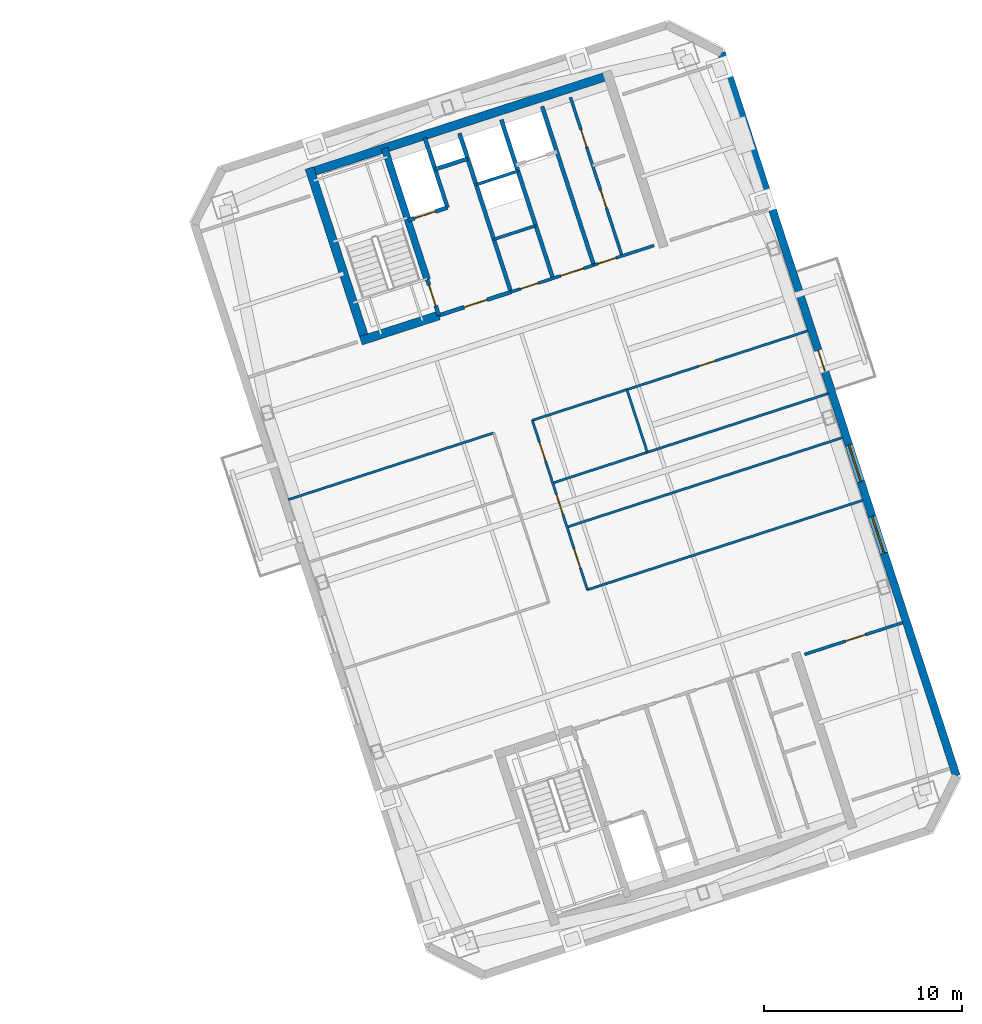
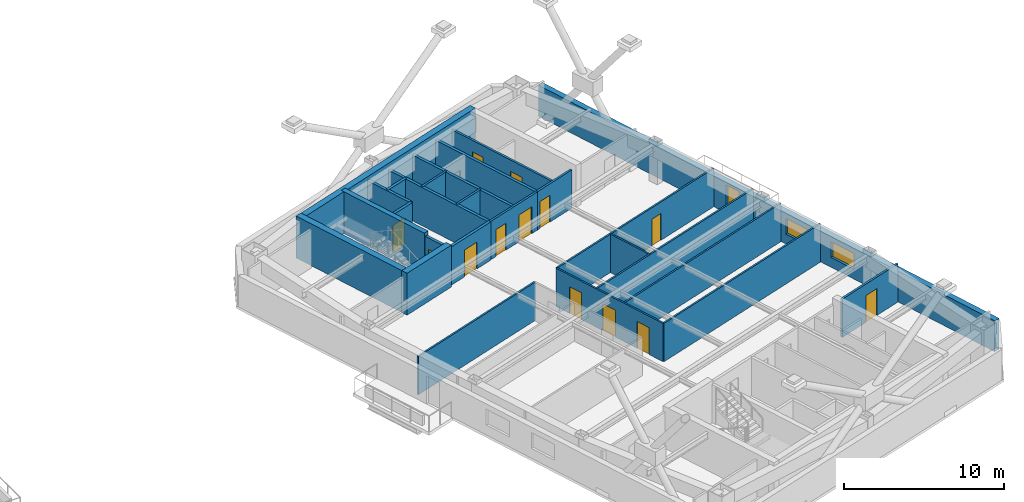
# One storey, part 10 of 16: 26 walls, 14 doors, 2 windows, 16 openings.
"""IFC4 building model written with IfcOpenShell, lengths in metres."""

from ifc_helpers import new_model, si_unit, direction, frame, frame_2d, origin, place, context, subcontext, project, spatial, rectangle, extrude, material, layer, layer_set, type_object, element, fill, save


model = new_model("IFC4")

# Units and contexts
model_context = context("Model", 3, precision=1e-05, world=origin(), true_north=direction((0.0, 1.0)))
body_context = subcontext(model_context, "Body", "Model", "MODEL_VIEW")
ifc_project = project(units=[si_unit("LENGTHUNIT", "METRE"), si_unit("AREAUNIT", "SQUARE_METRE"), si_unit("VOLUMEUNIT", "CUBIC_METRE"), si_unit("PLANEANGLEUNIT", "RADIAN"), si_unit("MASSUNIT", "GRAM", prefix="KILO")], contexts=[model_context])

# Site, building, storey
site_placement = place(None, origin())
site = spatial("IfcSite", under=ifc_project, at=site_placement, CompositionType="ELEMENT")
building_placement = place(site_placement, origin())
building = spatial("IfcBuilding", under=site, at=building_placement, Name="Qiaolan Cultural Towers", CompositionType="ELEMENT")
storey_placement = place(building_placement, frame((0.0, 0.0, 240.800048828125)))
storey = spatial("IfcBuildingStorey", under=building, at=storey_placement, Name="L65", CompositionType="ELEMENT", Elevation=240.800048828125)

# Walls
ifc_material_1 = material(Name="Concrete C50", Category="concrete")
ifc_layer_1 = layer(ifc_material_1, 0.35009765625)
ifc_layer_set_1 = layer_set([ifc_layer_1], Name="Concrete C50")
wall_type_1 = type_object("IfcWallType", Name="WL-CORE-350", PredefinedType="SHEAR", material=ifc_layer_set_1)
wall_1_placement = place(storey_placement, frame((82.513671875, 45.13134765625, 0.0), z_axis=(0.0, 0.0, 1.0), x_axis=(-0.308988790936, 0.951065679686, 0.0)))
element("IfcWall", 1, at=wall_1_placement, inside=storey, type_object=wall_type_1, Name="L65 T2-CN Stair Core Dividing Web", PredefinedType="SHEAR", context=body_context, shape_type="SweptSolid", body=[
    extrude(rectangle(XDim=6.97998046875, YDim=0.35009765625, at=frame_2d((3.489990234375, 0.0))), origin(), (0.0, 0.0, 1.0), 3.199951171875),
])
ifc_material_2 = material(Name="Concrete C50", Category="concrete")
ifc_layer_2 = layer(ifc_material_2, 0.449951171875)
ifc_layer_set_2 = layer_set([ifc_layer_2], Name="Concrete C50")
wall_type_2 = type_object("IfcWallType", Name="WL-CORE-450", PredefinedType="SHEAR", material=ifc_layer_set_2)
wall_2_placement = place(storey_placement, frame((76.414794921875, 50.489013671875, 0.0), z_axis=(0.0, 0.0, 1.0), x_axis=(0.951056810414, 0.309016089169, 0.0)))
element("IfcWall", 2, at=wall_2_placement, inside=storey, type_object=wall_type_2, Name="L65 T2-CN Outer Core Shear Wall", PredefinedType="SHEAR", context=body_context, shape_type="SweptSolid", body=[
    extrude(rectangle(XDim=16.25, YDim=0.449951171875, at=frame_2d((8.125, 0.0))), origin(), (0.0, 0.0, 1.0), 3.199951171875),
])
wall_3_placement = place(storey_placement, frame((79.4423828125, 41.899169921875, 0.0), z_axis=(0.0, 0.0, 1.0), x_axis=(-0.309035778627, 0.951050412717, 0.0)))
element("IfcWall", 3, at=wall_3_placement, inside=storey, type_object=wall_type_2, Name="L65 T2-CN West Core Shear Wall", PredefinedType="SHEAR", context=body_context, shape_type="SweptSolid", body=[
    extrude(rectangle(XDim=9.330078125, YDim=0.449951171875, at=frame_2d((4.6650390625, 0.0))), origin(), (0.0, 0.0, 1.0), 3.199951171875),
])
wall_4_placement = place(storey_placement, frame((79.15869140625, 42.04345703125, 0.0), z_axis=(0.0, 0.0, 1.0), x_axis=(0.951047485828, 0.309044785913, 0.0)))
element("IfcWall", 4, at=wall_4_placement, inside=storey, type_object=wall_type_2, Name="L65 T2-CN Stair Front Shear Wall", PredefinedType="SHEAR", context=body_context, shape_type="SweptSolid", body=[
    extrude(rectangle(XDim=4.14501953125, YDim=0.449951171875, at=frame_2d((2.072509765625, 0.0))), origin(), (0.0, 0.0, 1.0), 3.199951171875),
])

# Wall, openings, door, windows
ifc_material_3 = material(Name="Precast Concrete C50 Honed Stone Pier", Category="masonry")
ifc_layer_3 = layer(ifc_material_3, 0.39990234375)
ifc_layer_set_3 = layer_set([ifc_layer_3], Name="Precast Concrete C50 Honed Stone Pier")
wall_type_3 = type_object("IfcWallType", Name="WL-EXT-PIER-400", PredefinedType="SOLIDWALL", material=ifc_layer_set_3)
wall_5_placement = place(storey_placement, frame((97.381591796875, 56.58642578125, 0.0), z_axis=(0.0, 0.0, 1.0), x_axis=(0.309016491071, -0.951056679828, 0.0)))
wall_5 = element("IfcWall", 5, at=wall_5_placement, inside=storey, type_object=wall_type_3, Name="L65 East Tower Precast Pier Facade Wall F5", PredefinedType="SOLIDWALL", context=body_context, shape_type="SweptSolid", body=[
    extrude(rectangle(XDim=38.39990234375, YDim=0.39990234375, at=frame_2d((19.199951171875, 0.0))), origin(), (0.0, 0.0, 1.0), 2.35986328125),
])
opening_1_placement = place(wall_5_placement, frame((24.625, 0.0, 0.75)))
opening_1 = element("IfcOpeningElement", 6, at=opening_1_placement, cuts=wall_5, Name="Opening W-06", PredefinedType="OPENING", context=body_context, shape_type="SweptSolid", body=[
    extrude(rectangle(XDim=1.949951171875, YDim=1.2099609375, at=frame_2d((0.97509765625, 0.60498046875))), frame((0.0, 0.2099609375, 0.0), z_axis=(0.0, -1.0, 0.0), x_axis=(1.0, 0.0, 0.0)), (0.0, 0.0, 1.0), 0.419921875),
])
opening_2_placement = place(wall_5_placement, frame((20.824951171875, 0.0, 0.75)))
opening_2 = element("IfcOpeningElement", 7, at=opening_2_placement, cuts=wall_5, Name="Opening W-06", PredefinedType="OPENING", context=body_context, shape_type="SweptSolid", body=[
    extrude(rectangle(XDim=1.949951171875, YDim=1.2099609375, at=frame_2d((0.97509765625, 0.60498046875))), frame((0.0, 0.2099609375, 0.0), z_axis=(0.0, -1.0, 0.0), x_axis=(1.0, 0.0, 0.0)), (0.0, 0.0, 1.0), 0.419921875),
])
opening_3_placement = place(wall_5_placement, frame((15.800048828125, 0.0, 0.0)))
opening_3 = element("IfcOpeningElement", 8, at=opening_3_placement, cuts=wall_5, Name="Opening BD-01", PredefinedType="OPENING", context=body_context, shape_type="SweptSolid", body=[
    extrude(rectangle(XDim=1.10009765625, YDim=2.14990234375, at=frame_2d((0.550048828125, 1.074951171875))), frame((0.0, 0.2099609375, 0.0), z_axis=(0.0, -1.0, 0.0), x_axis=(1.0, 0.0, 0.0)), (0.0, 0.0, 1.0), 0.419921875),
])
ifc_material_4 = material(Name="Thermally Broken Aluminium Glazed Terrace Door", Category="aluminium")
door_type_1 = type_object("IfcDoorType", Name="DR-BAL-1100", OperationType="NOTDEFINED", PredefinedType="DOOR", material=ifc_material_4)
door_1_placement = place(opening_3_placement, origin())
door_1 = element("IfcDoor", 9, at=door_1_placement, inside=storey, type_object=door_type_1, Name="L65 T2 East Tree Balcony Door", OperationType="SINGLE_SWING_RIGHT", OverallHeight=2.14990234375, OverallWidth=1.10009765625, PredefinedType="DOOR", context=body_context, shape_type="SweptSolid", body=[
    extrude(rectangle(XDim=1.10009765625, YDim=2.14990234375, at=frame_2d((0.550048828125, 1.074951171875))), frame((0.0, 0.02490234375, 0.0), z_axis=(0.0, -1.0, 0.0), x_axis=(1.0, 0.0, 0.0)), (0.0, 0.0, 1.0), 0.050048828125),
])
fill(opening_3, door_1)
ifc_material_5 = material(Name="Thermally Broken Aluminium Triple Low-E Glazing", Category="aluminium")
window_type = type_object("IfcWindowType", Name="WN-CHIC-1950", PartitioningType="SINGLE_PANEL", PredefinedType="WINDOW", material=ifc_material_5)
window_1_placement = place(opening_1_placement, origin())
window_1 = element("IfcWindow", 10, at=window_1_placement, inside=storey, type_object=window_type, Name="L65 T2 E Chicago Bay Window 1", OverallHeight=1.2099609375, OverallWidth=1.949951171875, PartitioningType="TRIPLE_PANEL_VERTICAL", PredefinedType="WINDOW", context=body_context, shape_type="SweptSolid", body=[
    extrude(rectangle(XDim=1.949951171875, YDim=1.2099609375, at=frame_2d((0.97509765625, 0.60498046875))), frame((0.0, 0.030029296875, 0.0), z_axis=(0.0, -1.0, 0.0), x_axis=(1.0, 0.0, 0.0)), (0.0, 0.0, 1.0), 0.06005859375),
])
fill(opening_1, window_1)
window_2_placement = place(opening_2_placement, origin())
window_2 = element("IfcWindow", 11, at=window_2_placement, inside=storey, type_object=window_type, Name="L65 T2 E Chicago Bay Window 2", OverallHeight=1.2099609375, OverallWidth=1.949951171875, PartitioningType="TRIPLE_PANEL_VERTICAL", PredefinedType="WINDOW", context=body_context, shape_type="SweptSolid", body=[
    extrude(rectangle(XDim=1.949951171875, YDim=1.2099609375, at=frame_2d((0.97509765625, 0.60498046875))), frame((0.0, 0.030029296875, 0.0), z_axis=(0.0, -1.0, 0.0), x_axis=(1.0, 0.0, 0.0)), (0.0, 0.0, 1.0), 0.06005859375),
])
fill(opening_2, window_2)

# Wall, opening, door
ifc_material_6 = material(Name="Concrete C35 Fire Wall", Category="concrete")
ifc_layer_4 = layer(ifc_material_6, 0.199951171875)
ifc_layer_set_4 = layer_set([ifc_layer_4], Name="Concrete C35 Fire Wall")
wall_type_4 = type_object("IfcWallType", Name="WL-FIRE-200", PredefinedType="PARTITIONING", material=ifc_layer_set_4)
wall_6_placement = place(storey_placement, frame((83.100830078125, 43.324462890625, 0.0), z_axis=(0.0, 0.0, 1.0), x_axis=(-0.309048298632, 0.951046344356, 0.0)))
wall_6 = element("IfcWall", 12, at=wall_6_placement, inside=storey, type_object=wall_type_4, Name="L65 T2-CN Smokeproof Stair Entry Wall", PredefinedType="PARTITIONING", context=body_context, shape_type="SweptSolid", body=[
    extrude(rectangle(XDim=1.89990234375, YDim=0.199951171875, at=frame_2d((0.949951171875, 0.0))), origin(), (0.0, 0.0, 1.0), 2.925048828125),
])
opening_4_placement = place(wall_6_placement, frame((0.52001953125, 0.0, 0.0)))
opening_4 = element("IfcOpeningElement", 13, at=opening_4_placement, cuts=wall_6, Name="Opening FD-04", PredefinedType="OPENING", context=body_context, shape_type="SweptSolid", body=[
    extrude(rectangle(XDim=1.10009765625, YDim=2.050048828125, at=frame_2d((0.550048828125, 1.02490234375))), frame((0.0, 0.10986328125, 0.0), z_axis=(0.0, -1.0, 0.0), x_axis=(1.0, 0.0, 0.0)), (0.0, 0.0, 1.0), 0.219970703125),
])
ifc_material_7 = material(Name="Galvanized Steel Command Fire Door", Category="steel")
door_type_2 = type_object("IfcDoorType", Name="DR-FD90-1100", OperationType="NOTDEFINED", PredefinedType="DOOR", material=ifc_material_7)
door_2_placement = place(opening_4_placement, origin())
door_2 = element("IfcDoor", 14, at=door_2_placement, inside=storey, type_object=door_type_2, Name="L65 ST-E2 Smokeproof Stair Fire Door", OperationType="SINGLE_SWING_LEFT", OverallHeight=2.050048828125, OverallWidth=1.10009765625, PredefinedType="DOOR", context=body_context, shape_type="SweptSolid", body=[
    extrude(rectangle(XDim=1.10009765625, YDim=2.050048828125, at=frame_2d((0.550048828125, 1.02490234375))), frame((0.0, 0.02490234375, 0.0), z_axis=(0.0, -1.0, 0.0), x_axis=(1.0, 0.0, 0.0)), (0.0, 0.0, 1.0), 0.050048828125),
])
fill(opening_4, door_2)

# Wall
wall_7_placement = place(storey_placement, frame((86.743408203125, 44.508056640625, 0.0), z_axis=(0.0, 0.0, 1.0), x_axis=(-0.309016001439, 0.951056838919, 0.0)))
element("IfcWall", 15, at=wall_7_placement, inside=storey, type_object=wall_type_4, Name="L65 T2-CN Firefighting Zone Wall", PredefinedType="PARTITIONING", context=body_context, shape_type="SweptSolid", body=[
    extrude(rectangle(XDim=8.429931640625, YDim=0.199951171875, at=frame_2d((4.21484375, 0.0))), origin(), (0.0, 0.0, 1.0), 2.925048828125),
])

# Wall, opening, door
wall_8_placement = place(storey_placement, frame((83.100830078125, 43.324462890625, 0.0), z_axis=(0.0, 0.0, 1.0), x_axis=(0.951052804469, 0.309028417967, 0.0)))
wall_8 = element("IfcWall", 16, at=wall_8_placement, inside=storey, type_object=wall_type_4, Name="L65 T2-CN Firefighting Lobby Front Wall", PredefinedType="PARTITIONING", context=body_context, shape_type="SweptSolid", body=[
    extrude(rectangle(XDim=3.830078125, YDim=0.199951171875, at=frame_2d((1.9150390625, 0.0))), origin(), (0.0, 0.0, 1.0), 2.925048828125),
])
opening_5_placement = place(wall_8_placement, frame((1.35009765625, 0.0, 0.0)))
opening_5 = element("IfcOpeningElement", 17, at=opening_5_placement, cuts=wall_8, Name="Opening FD-03", PredefinedType="OPENING", context=body_context, shape_type="SweptSolid", body=[
    extrude(rectangle(XDim=1.199951171875, YDim=2.050048828125, at=frame_2d((0.60009765625, 1.02490234375))), frame((0.0, 0.10986328125, 0.0), z_axis=(0.0, -1.0, 0.0), x_axis=(1.0, 0.0, 0.0)), (0.0, 0.0, 1.0), 0.219970703125),
])
ifc_material_8 = material(Name="Galvanized Steel Smokeproof Lobby Fire Door", Category="steel")
door_type_3 = type_object("IfcDoorType", Name="DR-FD90-1200", OperationType="NOTDEFINED", PredefinedType="DOOR", material=ifc_material_8)
door_3_placement = place(opening_5_placement, origin())
door_3 = element("IfcDoor", 18, at=door_3_placement, inside=storey, type_object=door_type_3, Name="L65 FFL-E2 Firefighting Lobby Fire Door", OperationType="SINGLE_SWING_LEFT", OverallHeight=2.050048828125, OverallWidth=1.199951171875, PredefinedType="DOOR", context=body_context, shape_type="SweptSolid", body=[
    extrude(rectangle(XDim=1.199951171875, YDim=2.050048828125, at=frame_2d((0.60009765625, 1.02490234375))), frame((0.0, 0.02490234375, 0.0), z_axis=(0.0, -1.0, 0.0), x_axis=(1.0, 0.0, 0.0)), (0.0, 0.0, 1.0), 0.050048828125),
])
fill(opening_5, door_3)

wall_9_placement = place(storey_placement, frame((81.540283203125, 48.127197265625, 0.0), z_axis=(0.0, 0.0, 1.0), x_axis=(0.951062257173, 0.308999325213, 0.0)))
wall_9 = element("IfcWall", 19, at=wall_9_placement, inside=storey, type_object=wall_type_4, Name="L65 T2-CN Firefighting Shaft Front Wall", PredefinedType="PARTITIONING", context=body_context, shape_type="SweptSolid", body=[
    extrude(rectangle(XDim=2.10009765625, YDim=0.199951171875, at=frame_2d((1.050048828125, 0.0))), origin(), (0.0, 0.0, 1.0), 2.925048828125),
])
opening_6_placement = place(wall_9_placement, frame((0.35009765625, 0.0, 0.0)))
opening_6 = element("IfcOpeningElement", 20, at=opening_6_placement, cuts=wall_9, Name="Opening LD-01", PredefinedType="OPENING", context=body_context, shape_type="SweptSolid", body=[
    extrude(rectangle(XDim=1.10009765625, YDim=2.050048828125, at=frame_2d((0.550048828125, 1.02490234375))), frame((0.0, 0.10986328125, 0.0), z_axis=(0.0, -1.0, 0.0), x_axis=(1.0, 0.0, 0.0)), (0.0, 0.0, 1.0), 0.219970703125),
])
ifc_material_9 = material(Name="Brushed Stainless Steel S30408 Centre-Parting Lift Landing Door", Category="steel")
door_type_4 = type_object("IfcDoorType", Name="DR-LIFT-1100", OperationType="NOTDEFINED", PredefinedType="DOOR", material=ifc_material_9)
door_4_placement = place(opening_6_placement, origin())
door_4 = element("IfcDoor", 21, at=door_4_placement, inside=storey, type_object=door_type_4, Name="L65 FFL-E2 Firefighting Lift Landing Door", OperationType="DOUBLE_DOOR_SLIDING", OverallHeight=2.050048828125, OverallWidth=1.10009765625, PredefinedType="DOOR", context=body_context, shape_type="SweptSolid", body=[
    extrude(rectangle(XDim=1.10009765625, YDim=2.050048828125, at=frame_2d((0.550048828125, 1.02490234375))), frame((0.0, 0.02490234375, 0.0), z_axis=(0.0, -1.0, 0.0), x_axis=(1.0, 0.0, 0.0)), (0.0, 0.0, 1.0), 0.050048828125),
])
fill(opening_6, door_4)

# Walls
wall_10_placement = place(storey_placement, frame((83.53759765625, 48.776123046875, 0.0), z_axis=(0.0, 0.0, 1.0), x_axis=(-0.3089935693, 0.951064127245, 0.0)))
element("IfcWall", 22, at=wall_10_placement, inside=storey, type_object=wall_type_4, Name="L65 T2-CN Firefighting Hoistway East Wall", PredefinedType="PARTITIONING", context=body_context, shape_type="SweptSolid", body=[
    extrude(rectangle(XDim=3.7001953125, YDim=0.199951171875, at=frame_2d((1.85009765625, 0.0))), origin(), (0.0, 0.0, 1.0), 2.925048828125),
])
wall_11_placement = place(storey_placement, frame((82.910400390625, 50.706787109375, 0.0), z_axis=(0.0, 0.0, 1.0), x_axis=(0.951041328149, 0.309063734775, 0.0)))
element("IfcWall", 23, at=wall_11_placement, inside=storey, type_object=wall_type_4, Name="L65 T2-CN Pressurization Shaft Front Wall", PredefinedType="PARTITIONING", context=body_context, shape_type="SweptSolid", body=[
    extrude(rectangle(XDim=1.72998046875, YDim=0.199951171875, at=frame_2d((0.864990234375, 0.0))), origin(), (0.0, 0.0, 1.0), 2.925048828125),
])
wall_12_placement = place(storey_placement, frame((90.92822265625, 45.86767578125, 0.0), z_axis=(0.0, 0.0, 1.0), x_axis=(-0.309042196757, 0.951048327176, 0.0)))
element("IfcWall", 24, at=wall_12_placement, inside=storey, type_object=wall_type_4, Name="L65 T2-CN Lift Core East Wall", PredefinedType="PARTITIONING", context=body_context, shape_type="SweptSolid", body=[
    extrude(rectangle(XDim=8.429931640625, YDim=0.199951171875, at=frame_2d((4.21484375, 0.0))), origin(), (0.0, 0.0, 1.0), 2.925048828125),
])
wall_13_placement = place(storey_placement, frame((88.8642578125, 45.197021484375, 0.0), z_axis=(0.0, 0.0, 1.0), x_axis=(-0.309007490203, 0.951059604335, 0.0)))
element("IfcWall", 25, at=wall_13_placement, inside=storey, type_object=wall_type_4, Name="L65 T2-CN Sky Shuttle Lift Zone Wall", PredefinedType="PARTITIONING", context=body_context, shape_type="SweptSolid", body=[
    extrude(rectangle(XDim=8.43017578125, YDim=0.199951171875, at=frame_2d((4.215087890625, 0.0))), origin(), (0.0, 0.0, 1.0), 2.925048828125),
])
ifc_material_10 = material(Name="Gypsum Stud Acoustic Partition", Category="gypsum")
ifc_layer_5 = layer(ifc_material_10, 0.1201171875)
ifc_layer_set_5 = layer_set([ifc_layer_5], Name="Gypsum Stud Acoustic Partition")
wall_type_5 = type_object("IfcWallType", Name="WL-PART-120", PredefinedType="PARTITIONING", material=ifc_layer_set_5)
wall_14_placement = place(storey_placement, frame((90.60595703125, 29.46533203125, 0.0), z_axis=(0.0, 0.0, 1.0), x_axis=(0.951058110432, 0.309012088082, 0.0)))
element("IfcWall", 26, at=wall_14_placement, inside=storey, type_object=wall_type_5, Name="L65 T2 South Foyer East Wall", PredefinedType="PARTITIONING", context=body_context, shape_type="SweptSolid", body=[
    extrude(rectangle(XDim=14.625, YDim=0.1201171875, at=frame_2d((7.3125, 0.0))), origin(), (0.0, 0.0, 1.0), 2.925048828125),
])
wall_15_placement = place(storey_placement, frame((75.48486328125, 34.015380859375, 0.0), z_axis=(0.0, 0.0, 1.0), x_axis=(0.951058206457, 0.309011792544, 0.0)))
element("IfcWall", 27, at=wall_15_placement, inside=storey, type_object=wall_type_5, Name="L65 T2 North Foyer West Wall", PredefinedType="PARTITIONING", context=body_context, shape_type="SweptSolid", body=[
    extrude(rectangle(XDim=10.925048828125, YDim=0.1201171875, at=frame_2d((5.46240234375, 0.0))), origin(), (0.0, 0.0, 1.0), 2.925048828125),
])

# Wall, opening, door
wall_16_placement = place(storey_placement, frame((87.82470703125, 38.02490234375, 0.0), z_axis=(0.0, 0.0, 1.0), x_axis=(0.951058110432, 0.309012088082, 0.0)))
wall_16 = element("IfcWall", 28, at=wall_16_placement, inside=storey, type_object=wall_type_5, Name="L65 T2 North Foyer East Wall", PredefinedType="PARTITIONING", context=body_context, shape_type="SweptSolid", body=[
    extrude(rectangle(XDim=14.625, YDim=0.1201171875, at=frame_2d((7.3125, 0.0))), origin(), (0.0, 0.0, 1.0), 2.925048828125),
])
opening_7_placement = place(wall_16_placement, frame((8.844970703125, 0.0, 0.0)))
opening_7 = element("IfcOpeningElement", 29, at=opening_7_placement, cuts=wall_16, Name="Opening ID-09", PredefinedType="OPENING", context=body_context, shape_type="SweptSolid", body=[
    extrude(rectangle(XDim=0.85009765625, YDim=2.050048828125, at=frame_2d((0.425048828125, 1.02490234375))), frame((0.0, 0.070068359375, 0.0), z_axis=(0.0, -1.0, 0.0), x_axis=(1.0, 0.0, 0.0)), (0.0, 0.0, 1.0), 0.14013671875),
])
ifc_material_11 = material(Name="Moisture-Resistant Laminate Utility Door", Category="timber")
door_type_5 = type_object("IfcDoorType", Name="DR-INT-850", OperationType="NOTDEFINED", PredefinedType="DOOR", material=ifc_material_11)
door_5_placement = place(opening_7_placement, origin())
door_5 = element("IfcDoor", 30, at=door_5_placement, inside=storey, type_object=door_type_5, Name="L65 T2 Gallery Salon Door", OperationType="SINGLE_SWING_RIGHT", OverallHeight=2.050048828125, OverallWidth=0.85009765625, PredefinedType="DOOR", context=body_context, shape_type="SweptSolid", body=[
    extrude(rectangle(XDim=0.85009765625, YDim=2.050048828125, at=frame_2d((0.425048828125, 1.02490234375))), frame((0.0, 0.02490234375, 0.0), z_axis=(0.0, -1.0, 0.0), x_axis=(1.0, 0.0, 0.0)), (0.0, 0.0, 1.0), 0.050048828125),
])
fill(opening_7, door_5)

# Wall, openings, doors
wall_17_placement = place(storey_placement, frame((90.60595703125, 29.46533203125, 0.0), z_axis=(0.0, 0.0, 1.0), x_axis=(-0.309024734286, 0.951054001411, 0.0)))
wall_17 = element("IfcWall", 31, at=wall_17_placement, inside=storey, type_object=wall_type_5, Name="L65 T2 Central Spine East Wall", PredefinedType="PARTITIONING", context=body_context, shape_type="SweptSolid", body=[
    extrude(rectangle(XDim=9.0, YDim=0.1201171875, at=frame_2d((4.5, 0.0))), origin(), (0.0, 0.0, 1.0), 2.925048828125),
])
opening_8_placement = place(wall_17_placement, frame((1.1650390625, 0.0, 0.0)))
opening_8 = element("IfcOpeningElement", 32, at=opening_8_placement, cuts=wall_17, Name="Opening ID-04", PredefinedType="OPENING", context=body_context, shape_type="SweptSolid", body=[
    extrude(rectangle(XDim=1.0, YDim=2.050048828125, at=frame_2d((0.5, 1.02490234375))), frame((0.0, 0.070068359375, 0.0), z_axis=(0.0, -1.0, 0.0), x_axis=(1.0, 0.0, 0.0)), (0.0, 0.0, 1.0), 0.14013671875),
])
opening_9_placement = place(wall_17_placement, frame((4.0, 0.0, 0.0)))
opening_9 = element("IfcOpeningElement", 33, at=opening_9_placement, cuts=wall_17, Name="Opening ID-07", PredefinedType="OPENING", context=body_context, shape_type="SweptSolid", body=[
    extrude(rectangle(XDim=1.050048828125, YDim=2.050048828125, at=frame_2d((0.52490234375, 1.02490234375))), frame((0.0, 0.070068359375, 0.0), z_axis=(0.0, -1.0, 0.0), x_axis=(1.0, 0.0, 0.0)), (0.0, 0.0, 1.0), 0.14013671875),
])
opening_10_placement = place(wall_17_placement, frame((6.8349609375, 0.0, 0.0)))
opening_10 = element("IfcOpeningElement", 34, at=opening_10_placement, cuts=wall_17, Name="Opening ID-04", PredefinedType="OPENING", context=body_context, shape_type="SweptSolid", body=[
    extrude(rectangle(XDim=1.0, YDim=2.050048828125, at=frame_2d((0.5, 1.02490234375))), frame((0.0, 0.070068359375, 0.0), z_axis=(0.0, -1.0, 0.0), x_axis=(1.0, 0.0, 0.0)), (0.0, 0.0, 1.0), 0.14013671875),
])
ifc_material_12 = material(Name="Oak Veneer Acoustic Office Door", Category="timber")
door_type_6 = type_object("IfcDoorType", Name="DR-INT-1000", OperationType="NOTDEFINED", PredefinedType="DOOR", material=ifc_material_12)
door_6_placement = place(opening_8_placement, origin())
door_6 = element("IfcDoor", 35, at=door_6_placement, inside=storey, type_object=door_type_6, Name="L65 T2 Wellness Advisory Room Door", OperationType="SINGLE_SWING_RIGHT", OverallHeight=2.050048828125, OverallWidth=1.0, PredefinedType="DOOR", context=body_context, shape_type="SweptSolid", body=[
    extrude(rectangle(XDim=1.0, YDim=2.050048828125, at=frame_2d((0.5, 1.02490234375))), frame((0.0, 0.02490234375, 0.0), z_axis=(0.0, -1.0, 0.0), x_axis=(1.0, 0.0, 0.0)), (0.0, 0.0, 1.0), 0.050048828125),
])
fill(opening_8, door_6)
door_7_placement = place(opening_10_placement, origin())
door_7 = element("IfcDoor", 36, at=door_7_placement, inside=storey, type_object=door_type_6, Name="L65 T2 Private Kitchen Door", OperationType="SINGLE_SWING_LEFT", OverallHeight=2.050048828125, OverallWidth=1.0, PredefinedType="DOOR", context=body_context, shape_type="SweptSolid", body=[
    extrude(rectangle(XDim=1.0, YDim=2.050048828125, at=frame_2d((0.5, 1.02490234375))), frame((0.0, 0.02490234375, 0.0), z_axis=(0.0, -1.0, 0.0), x_axis=(1.0, 0.0, 0.0)), (0.0, 0.0, 1.0), 0.050048828125),
])
fill(opening_10, door_7)
ifc_material_13 = material(Name="Oak Veneer Consultation Door", Category="timber")
door_type_7 = type_object("IfcDoorType", Name="DR-INT-1050", OperationType="NOTDEFINED", PredefinedType="DOOR", material=ifc_material_13)
door_8_placement = place(opening_9_placement, origin())
door_8 = element("IfcDoor", 37, at=door_8_placement, inside=storey, type_object=door_type_7, Name="L65 T2 Art Edition Shop Door", OperationType="SINGLE_SWING_LEFT", OverallHeight=2.050048828125, OverallWidth=1.050048828125, PredefinedType="DOOR", context=body_context, shape_type="SweptSolid", body=[
    extrude(rectangle(XDim=1.050048828125, YDim=2.050048828125, at=frame_2d((0.52490234375, 1.02490234375))), frame((0.0, 0.02490234375, 0.0), z_axis=(0.0, -1.0, 0.0), x_axis=(1.0, 0.0, 0.0)), (0.0, 0.0, 1.0), 0.050048828125),
])
fill(opening_9, door_8)

# Walls
for number, where, z_axis, x_axis, name in (
    (38, (89.576904296875, 32.63232421875, 0.0), (0.0, 0.0, 1.0), (0.951058110432, 0.309012088082, 0.0), "L65 T2 Interior Wall"),
    (39, (88.853759765625, 34.85791015625, 0.0), (0.0, 0.0, 1.0), (0.951058110432, 0.309012088082, 0.0), "L65 T2 Interior Wall"),
):
    element("IfcWall", number, at=place(storey_placement, frame(where, z_axis=z_axis, x_axis=x_axis)), inside=storey, type_object=wall_type_5, Name=name, PredefinedType="PARTITIONING", context=body_context, shape_type="SweptSolid", body=[
        extrude(rectangle(XDim=14.625, YDim=0.1201171875, at=frame_2d((7.3125, 0.0))), origin(), (0.0, 0.0, 1.0), 2.925048828125),
    ])
wall_18_placement = place(storey_placement, frame((93.6328125, 36.41064453125, 0.0), z_axis=(0.0, 0.0, 1.0), x_axis=(-0.309026391202, 0.95105346303, 0.0)))
element("IfcWall", 40, at=wall_18_placement, inside=storey, type_object=wall_type_5, Name="L65 T2 Interior Wall", PredefinedType="PARTITIONING", context=body_context, shape_type="SweptSolid", body=[
    extrude(rectangle(XDim=3.330078125, YDim=0.1201171875, at=frame_2d((1.6650390625, 0.0))), origin(), (0.0, 0.0, 1.0), 2.925048828125),
])

# Wall, openings, doors
ifc_material_14 = material(Name="Autoclaved Aerated Concrete Block B06", Category="concrete")
ifc_layer_6 = layer(ifc_material_14, 0.14990234375)
ifc_layer_set_6 = layer_set([ifc_layer_6], Name="Autoclaved Aerated Concrete Block B06")
wall_type_6 = type_object("IfcWallType", Name="WL-PART-150", PredefinedType="PARTITIONING", material=ifc_layer_set_6)
wall_19_placement = place(storey_placement, frame((86.743408203125, 44.508056640625, 0.0), z_axis=(0.0, 0.0, 1.0), x_axis=(0.951063829732, 0.308994485023, 0.0)))
wall_19 = element("IfcWall", 41, at=wall_19_placement, inside=storey, type_object=wall_type_6, Name="L65 T2-CN High-Zone Lift Lobby Wall", PredefinedType="PARTITIONING", context=body_context, shape_type="SweptSolid", body=[
    extrude(rectangle(XDim=4.400146484375, YDim=0.14990234375, at=frame_2d((2.2001953125, 0.0))), origin(), (0.0, 0.0, 1.0), 2.925048828125),
])
opening_11_placement = place(wall_19_placement, frame((0.5, 0.0, 0.0)))
opening_11 = element("IfcOpeningElement", 42, at=opening_11_placement, cuts=wall_19, Name="Opening ID-05", PredefinedType="OPENING", context=body_context, shape_type="SweptSolid", body=[
    extrude(rectangle(XDim=0.949951171875, YDim=2.050048828125, at=frame_2d((0.47509765625, 1.02490234375))), frame((0.0, 0.0849609375, 0.0), z_axis=(0.0, -1.0, 0.0), x_axis=(1.0, 0.0, 0.0)), (0.0, 0.0, 1.0), 0.169921875),
])
opening_12_placement = place(wall_19_placement, frame((2.64990234375, 0.0, 0.0)))
opening_12 = element("IfcOpeningElement", 43, at=opening_12_placement, cuts=wall_19, Name="Opening FD-06", PredefinedType="OPENING", context=body_context, shape_type="SweptSolid", body=[
    extrude(rectangle(XDim=1.199951171875, YDim=2.050048828125, at=frame_2d((0.60009765625, 1.02490234375))), frame((0.0, 0.0849609375, 0.0), z_axis=(0.0, -1.0, 0.0), x_axis=(1.0, 0.0, 0.0)), (0.0, 0.0, 1.0), 0.169921875),
])
ifc_material_15 = material(Name="Painted Steel Plant Fire Door", Category="steel")
door_type_8 = type_object("IfcDoorType", Name="DR-FD60-1200", OperationType="NOTDEFINED", PredefinedType="DOOR", material=ifc_material_15)
door_9_placement = place(opening_12_placement, origin())
door_9 = element("IfcDoor", 44, at=door_9_placement, inside=storey, type_object=door_type_8, Name="L65 Sky Shuttle Lift Lobby Door", OperationType="SINGLE_SWING_RIGHT", OverallHeight=2.050048828125, OverallWidth=1.199951171875, PredefinedType="DOOR", context=body_context, shape_type="SweptSolid", body=[
    extrude(rectangle(XDim=1.199951171875, YDim=2.050048828125, at=frame_2d((0.60009765625, 1.02490234375))), frame((0.0, 0.02490234375, 0.0), z_axis=(0.0, -1.0, 0.0), x_axis=(1.0, 0.0, 0.0)), (0.0, 0.0, 1.0), 0.050048828125),
])
fill(opening_12, door_9)
ifc_material_16 = material(Name="Fire-Rated Laminate Accessible Core Door", Category="timber")
door_type_9 = type_object("IfcDoorType", Name="DR-INT-950", OperationType="NOTDEFINED", PredefinedType="DOOR", material=ifc_material_16)
door_10_placement = place(opening_11_placement, origin())
door_10 = element("IfcDoor", 45, at=door_10_placement, inside=storey, type_object=door_type_9, Name="L65 Reclaimed Server Room Door", OperationType="SINGLE_SWING_LEFT", OverallHeight=2.050048828125, OverallWidth=0.949951171875, PredefinedType="DOOR", context=body_context, shape_type="SweptSolid", body=[
    extrude(rectangle(XDim=0.949951171875, YDim=2.050048828125, at=frame_2d((0.47509765625, 1.02490234375))), frame((0.0, 0.02490234375, 0.0), z_axis=(0.0, -1.0, 0.0), x_axis=(1.0, 0.0, 0.0)), (0.0, 0.0, 1.0), 0.050048828125),
])
fill(opening_11, door_10)

# Walls
for number, where, z_axis, x_axis, name in (
    (46, (85.878173828125, 47.1708984375, 0.0), (0.0, 0.0, 1.0), (0.951042918244, 0.309058841741, 0.0), "L65 T2-CN High-Zone Reclaimed Split 1"),
    (47, (84.982177734375, 49.928955078125, 0.0), (0.0, 0.0, 1.0), (0.951042918244, 0.309058841741, 0.0), "L65 T2-CN High-Zone Reclaimed Split 2"),
):
    element("IfcWall", number, at=place(storey_placement, frame(where, z_axis=z_axis, x_axis=x_axis)), inside=storey, type_object=wall_type_6, Name=name, PredefinedType="PARTITIONING", context=body_context, shape_type="SweptSolid", body=[
        extrude(rectangle(XDim=2.22998046875, YDim=0.14990234375, at=frame_2d((1.114990234375, 0.0))), origin(), (0.0, 0.0, 1.0), 2.925048828125),
    ])

# Wall, opening, door
wall_20_placement = place(storey_placement, frame((90.92822265625, 45.86767578125, 0.0), z_axis=(0.0, 0.0, 1.0), x_axis=(0.951059297078, 0.309008435874, 0.0)))
wall_20 = element("IfcWall", 48, at=wall_20_placement, inside=storey, type_object=wall_type_6, Name="L65 T2-CN Sanitary Core Front Wall", PredefinedType="PARTITIONING", context=body_context, shape_type="SweptSolid", body=[
    extrude(rectangle(XDim=3.19970703125, YDim=0.14990234375, at=frame_2d((1.599853515625, 0.0))), origin(), (0.0, 0.0, 1.0), 2.925048828125),
])
opening_13_placement = place(wall_20_placement, frame((0.219970703125, 0.0, 0.0)))
opening_13 = element("IfcOpeningElement", 49, at=opening_13_placement, cuts=wall_20, Name="Opening ID-05", PredefinedType="OPENING", context=body_context, shape_type="SweptSolid", body=[
    extrude(rectangle(XDim=0.949951171875, YDim=2.050048828125, at=frame_2d((0.47509765625, 1.02490234375))), frame((0.0, 0.0849609375, 0.0), z_axis=(0.0, -1.0, 0.0), x_axis=(1.0, 0.0, 0.0)), (0.0, 0.0, 1.0), 0.169921875),
])
door_11_placement = place(opening_13_placement, origin())
door_11 = element("IfcDoor", 50, at=door_11_placement, inside=storey, type_object=door_type_9, Name="L65 Sanitary Lobby Door", OperationType="SINGLE_SWING_LEFT", OverallHeight=2.050048828125, OverallWidth=0.949951171875, PredefinedType="DOOR", context=body_context, shape_type="SweptSolid", body=[
    extrude(rectangle(XDim=0.949951171875, YDim=2.050048828125, at=frame_2d((0.47509765625, 1.02490234375))), frame((0.0, 0.02490234375, 0.0), z_axis=(0.0, -1.0, 0.0), x_axis=(1.0, 0.0, 0.0)), (0.0, 0.0, 1.0), 0.050048828125),
])
fill(opening_13, door_11)

# Wall, openings, doors
wall_21_placement = place(storey_placement, frame((92.354736328125, 46.3310546875, 0.0), z_axis=(0.0, 0.0, 1.0), x_axis=(-0.309007490203, 0.951059604335, 0.0)))
wall_21 = element("IfcWall", 51, at=wall_21_placement, inside=storey, type_object=wall_type_6, Name="L65 T2-CN Washroom Split Wall", PredefinedType="PARTITIONING", context=body_context, shape_type="SweptSolid", body=[
    extrude(rectangle(XDim=8.43017578125, YDim=0.14990234375, at=frame_2d((4.215087890625, 0.0))), origin(), (0.0, 0.0, 1.0), 2.925048828125),
])
opening_14_placement = place(wall_21_placement, frame((2.550048828125, 0.0, 0.0)))
opening_14 = element("IfcOpeningElement", 52, at=opening_14_placement, cuts=wall_21, Name="Opening ID-05", PredefinedType="OPENING", context=body_context, shape_type="SweptSolid", body=[
    extrude(rectangle(XDim=0.949951171875, YDim=2.050048828125, at=frame_2d((0.47509765625, 1.02490234375))), frame((0.0, 0.0849609375, 0.0), z_axis=(0.0, -1.0, 0.0), x_axis=(1.0, 0.0, 0.0)), (0.0, 0.0, 1.0), 0.169921875),
])
opening_15_placement = place(wall_21_placement, frame((5.800048828125, 0.0, 0.0)))
opening_15 = element("IfcOpeningElement", 53, at=opening_15_placement, cuts=wall_21, Name="Opening ID-06", PredefinedType="OPENING", context=body_context, shape_type="SweptSolid", body=[
    extrude(rectangle(XDim=0.89990234375, YDim=2.050048828125, at=frame_2d((0.449951171875, 1.02490234375))), frame((0.0, 0.0849609375, 0.0), z_axis=(0.0, -1.0, 0.0), x_axis=(1.0, 0.0, 0.0)), (0.0, 0.0, 1.0), 0.169921875),
])
ifc_material_17 = material(Name="Fire-Rated Laminate Core Service Door", Category="timber")
door_type_10 = type_object("IfcDoorType", Name="DR-INT-900", OperationType="NOTDEFINED", PredefinedType="DOOR", material=ifc_material_17)
door_12_placement = place(opening_15_placement, origin())
door_12 = element("IfcDoor", 54, at=door_12_placement, inside=storey, type_object=door_type_10, Name="L65 First-Aid Room Door", OperationType="SINGLE_SWING_RIGHT", OverallHeight=2.050048828125, OverallWidth=0.89990234375, PredefinedType="DOOR", context=body_context, shape_type="SweptSolid", body=[
    extrude(rectangle(XDim=0.89990234375, YDim=2.050048828125, at=frame_2d((0.449951171875, 1.02490234375))), frame((0.0, 0.02490234375, 0.0), z_axis=(0.0, -1.0, 0.0), x_axis=(1.0, 0.0, 0.0)), (0.0, 0.0, 1.0), 0.050048828125),
])
fill(opening_15, door_12)
door_13_placement = place(opening_14_placement, origin())
door_13 = element("IfcDoor", 55, at=door_13_placement, inside=storey, type_object=door_type_9, Name="L65 Accessible Washroom Door", OperationType="SINGLE_SWING_LEFT", OverallHeight=2.050048828125, OverallWidth=0.949951171875, PredefinedType="DOOR", context=body_context, shape_type="SweptSolid", body=[
    extrude(rectangle(XDim=0.949951171875, YDim=2.050048828125, at=frame_2d((0.47509765625, 1.02490234375))), frame((0.0, 0.02490234375, 0.0), z_axis=(0.0, -1.0, 0.0), x_axis=(1.0, 0.0, 0.0)), (0.0, 0.0, 1.0), 0.050048828125),
])
fill(opening_14, door_13)

# Wall, opening, door
wall_22_placement = place(storey_placement, frame((101.578369140625, 26.196044921875, 0.0), z_axis=(0.0, 0.0, 1.0), x_axis=(0.951064427824, 0.308992644131, 0.0)))
wall_22 = element("IfcWall", 56, at=wall_22_placement, inside=storey, type_object=wall_type_6, Name="L65 T2 Flank Front FLK-SE", PredefinedType="PARTITIONING", context=body_context, shape_type="SweptSolid", body=[
    extrude(rectangle(XDim=5.19970703125, YDim=0.14990234375, at=frame_2d((2.599853515625, 0.0))), origin(), (0.0, 0.0, 1.0), 2.925048828125),
])
opening_16_placement = place(wall_22_placement, frame((2.18408203125, 0.0, 0.0)))
opening_16 = element("IfcOpeningElement", 57, at=opening_16_placement, cuts=wall_22, Name="Opening ID-07", PredefinedType="OPENING", context=body_context, shape_type="SweptSolid", body=[
    extrude(rectangle(XDim=1.050048828125, YDim=2.050048828125, at=frame_2d((0.52490234375, 1.02490234375))), frame((0.0, 0.0849609375, 0.0), z_axis=(0.0, -1.0, 0.0), x_axis=(1.0, 0.0, 0.0)), (0.0, 0.0, 1.0), 0.169921875),
])
door_14_placement = place(opening_16_placement, origin())
door_14 = element("IfcDoor", 58, at=door_14_placement, inside=storey, type_object=door_type_7, Name="L65 T2 Corner Studio Door", OperationType="SINGLE_SWING_LEFT", OverallHeight=2.050048828125, OverallWidth=1.050048828125, PredefinedType="DOOR", context=body_context, shape_type="SweptSolid", body=[
    extrude(rectangle(XDim=1.050048828125, YDim=2.050048828125, at=frame_2d((0.52490234375, 1.02490234375))), frame((0.0, 0.02490234375, 0.0), z_axis=(0.0, -1.0, 0.0), x_axis=(1.0, 0.0, 0.0)), (0.0, 0.0, 1.0), 0.050048828125),
])
fill(opening_16, door_14)

save(model, "model.ifc")
